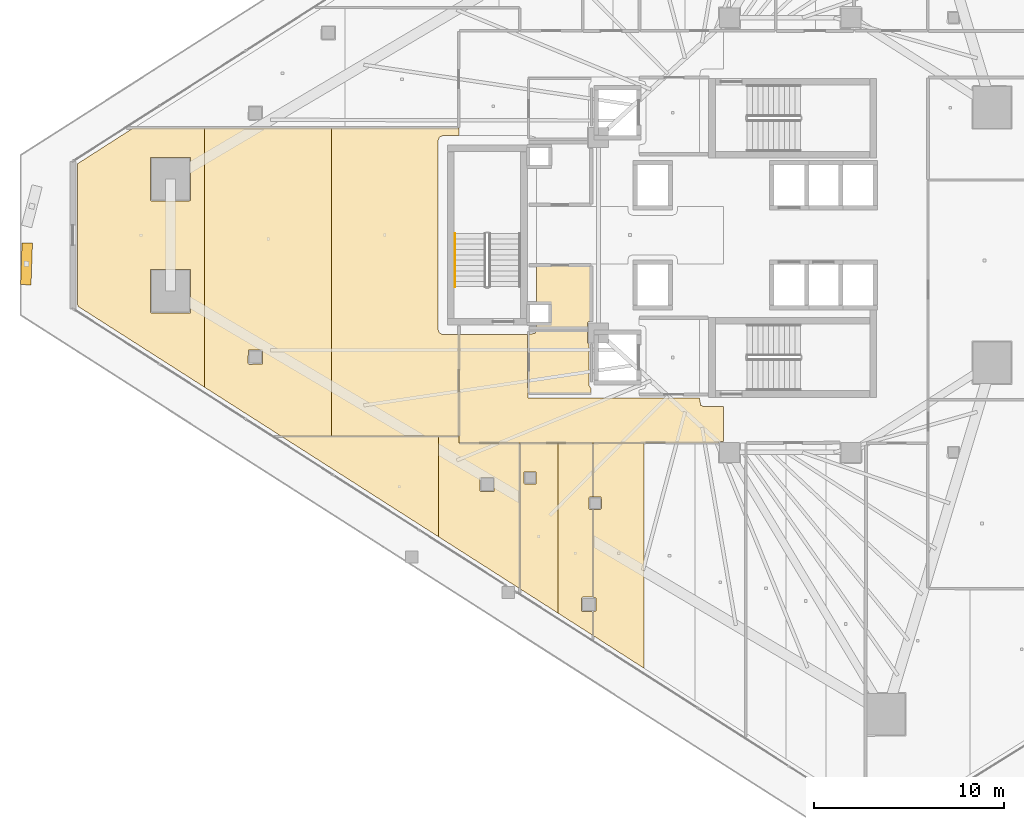
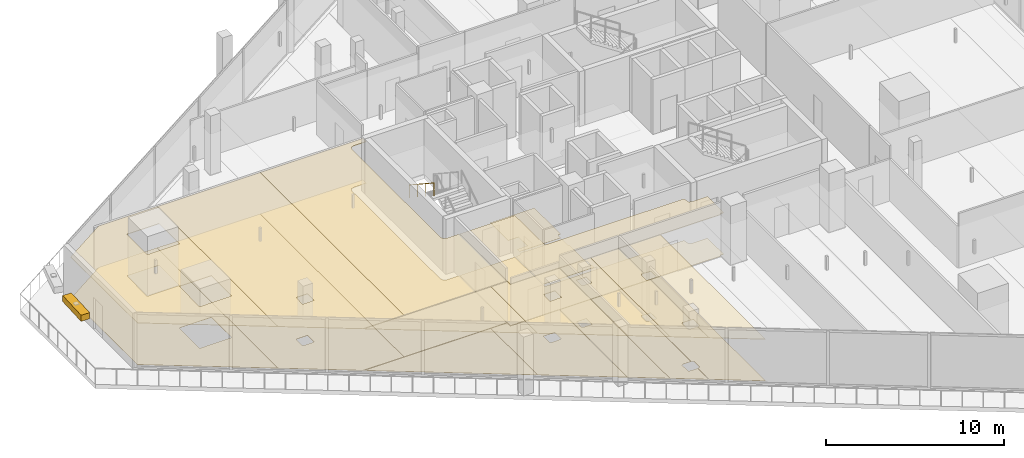
# One storey, part 37 of 45: 20 coverings, 1 railing, 1 shading device.
"""IFC4 building model written with IfcOpenShell, lengths in metres."""

import ifcopenshell
import ifcopenshell.guid

model = None  # the IFC model being written
_history = None  # IfcOwnerHistory: only IFC2X3 demands one
_inside = {}  # id of a spatial element -> (the spatial element, [elements in it])
_under = {}  # id of a project, library or spatial element -> (it, [spatial elements below it])
_declared = {}  # id of a project -> (the project, [libraries it declares])
_typed = {}  # id of a type object -> (the type object, [elements of that type])
_made_of = {}  # id of a material, layer set ... -> (it, [elements and type objects made of it])


def new_model(schema):
    """Start an empty IFC model of exactly this schema.

    Asked for "IFC4X3", IfcOpenShell would pick the latest addendum, in which some entities
    have other attributes; the version numbers below select the first issue.
    IFC2X3 requires an IfcOwnerHistory on every rooted entity: one is made here for all.
    """
    global model, _history
    if schema == "IFC4X3":
        model = ifcopenshell.file(schema_version=(4, 3, 0, 0))
    else:
        model = ifcopenshell.file(schema=schema)
    _inside.clear()
    _under.clear()
    _declared.clear()
    _typed.clear()
    _made_of.clear()
    _history = None
    if model.schema == "IFC2X3":
        org = make("IfcOrganization", Name="unknown")
        user = make(
            "IfcPersonAndOrganization",
            ThePerson=make("IfcPerson", FamilyName="unknown"),
            TheOrganization=org,
        )
        app = make(
            "IfcApplication",
            ApplicationDeveloper=org,
            Version="unknown",
            ApplicationFullName="unknown",
            ApplicationIdentifier="unknown",
        )
        _history = make(
            "IfcOwnerHistory",
            OwningUser=user,
            OwningApplication=app,
            ChangeAction="ADDED",
            CreationDate=0,
        )
    return model


def make(cls, **values):
    """One entity of the class cls with the attributes given. An attribute that is None is left unset."""
    return model.create_entity(
        cls, **{name: value for name, value in values.items() if value is not None}
    )


def rooted(cls, **values):
    """An entity with a GlobalId (a new one), such as an element, a storey or a relation."""
    return make(cls, GlobalId=ifcopenshell.guid.new(), OwnerHistory=_history, **values)


def si_unit(unit_type, name, prefix=None):
    """IfcSIUnit, for example si_unit("LENGTHUNIT", "METRE", prefix="MILLI")."""
    return make("IfcSIUnit", UnitType=unit_type, Prefix=prefix, Name=name)


def assignment(units):
    """IfcUnitAssignment: the units of a project."""
    return None if units is None else make("IfcUnitAssignment", Units=units)


def point(xyz):
    """IfcCartesianPoint."""
    return None if xyz is None else make("IfcCartesianPoint", Coordinates=xyz)


def direction(xyz):
    """IfcDirection."""
    return None if xyz is None else make("IfcDirection", DirectionRatios=xyz)


def frame(location, z_axis=None, x_axis=None):
    """IfcAxis2Placement3D, a coordinate frame: its origin and axes. An axis left out is left unset."""
    return make(
        "IfcAxis2Placement3D",
        Location=point(location),
        Axis=direction(z_axis),
        RefDirection=direction(x_axis),
    )


def frame_2d(location, x_axis=None):
    """IfcAxis2Placement2D, a coordinate frame in the plane: its origin and x axis."""
    return make(
        "IfcAxis2Placement2D", Location=point(location), RefDirection=direction(x_axis)
    )


def origin():
    """The frame at (0, 0, 0) with its axes left unset."""
    return frame((0.0, 0.0, 0.0))


def origin_2d():
    """The frame at (0, 0) in the plane with its x axis left unset."""
    return frame_2d((0.0, 0.0))


def place(relative_to, where):
    """IfcLocalPlacement: puts the frame where relative to a parent placement (None: the world)."""
    return make(
        "IfcLocalPlacement", PlacementRelTo=relative_to, RelativePlacement=where
    )


def context(
    kind, dimensions, precision=None, world=None, true_north=None, identifier=None
):
    """IfcGeometricRepresentationContext, for example the 3D "Model" context."""
    return make(
        "IfcGeometricRepresentationContext",
        ContextIdentifier=identifier,
        ContextType=kind,
        CoordinateSpaceDimension=dimensions,
        Precision=precision,
        WorldCoordinateSystem=world,
        TrueNorth=true_north,
    )


def subcontext(parent, identifier, kind, view, scale=None):
    """IfcGeometricRepresentationSubContext, for example "Body" below "Model"."""
    return make(
        "IfcGeometricRepresentationSubContext",
        ContextIdentifier=identifier,
        ContextType=kind,
        ParentContext=parent,
        TargetScale=scale,
        TargetView=view,
    )


def project(units=None, contexts=None):
    """IfcProject with its units and contexts."""
    return rooted(
        "IfcProject",
        Name="project",
        RepresentationContexts=contexts,
        UnitsInContext=assignment(units),
    )


def spatial(cls, under=None, at=None, **own):
    """A site, building, storey or space (cls), placed at a placement, below another one or the project."""
    s = rooted(cls, ObjectPlacement=at, **own)
    if under is not None:
        _under.setdefault(under.id(), (under, []))[1].append(s)
    return s


def polyline(points):
    """IfcPolyline through the points."""
    return make("IfcPolyline", Points=[point(p) for p in points])


def profile(cls, at=None, kind="AREA", **sizes):
    """A parametric profile (cls). Its sizes go by their IFC names, for example OverallWidth=200.0."""
    return make(cls, ProfileType=kind, Position=at, **sizes)


def rectangle(**sizes):
    """IfcRectangleProfileDef."""
    return profile("IfcRectangleProfileDef", **sizes)


def circle(**sizes):
    """IfcCircleProfileDef."""
    return profile("IfcCircleProfileDef", **sizes)


def outline(outer, holes=None, kind="AREA"):
    """IfcArbitraryClosedProfileDef: a profile drawn as a closed curve; with holes, ...WithVoids."""
    if holes is None:
        return make("IfcArbitraryClosedProfileDef", ProfileType=kind, OuterCurve=outer)
    return make(
        "IfcArbitraryProfileDefWithVoids",
        ProfileType=kind,
        OuterCurve=outer,
        InnerCurves=holes,
    )


def extrude(swept, where, along, depth):
    """IfcExtrudedAreaSolid: the profile swept, set in the frame where, extruded along a direction by depth."""
    return make(
        "IfcExtrudedAreaSolid",
        SweptArea=swept,
        Position=where,
        ExtrudedDirection=direction(along),
        Depth=depth,
    )


def shape(context_of_items, identifier, shape_type, items):
    """IfcShapeRepresentation: the items that make up one representation, for example the "Body"."""
    return make(
        "IfcShapeRepresentation",
        ContextOfItems=context_of_items,
        RepresentationIdentifier=identifier,
        RepresentationType=shape_type,
        Items=items,
    )


def material(Name=None, Category=None):
    """IfcMaterial."""
    return make("IfcMaterial", Name=Name, Category=Category)


def layer(
    of_material, thickness, ventilated=None, Name=None, Category=None, Priority=None
):
    """IfcMaterialLayer: one layer of a wall or slab, of a material (None: an air gap)."""
    return make(
        "IfcMaterialLayer",
        Material=of_material,
        LayerThickness=thickness,
        IsVentilated=ventilated,
        Name=Name,
        Category=Category,
        Priority=Priority,
    )


def layer_set(layers, Name=None):
    """IfcMaterialLayerSet."""
    return make("IfcMaterialLayerSet", MaterialLayers=layers, LayerSetName=Name)


def made_of(thing, what):
    """Note that an element or type object is made of a material, layer set ...; save() writes the relation."""
    if what is not None:
        _made_of.setdefault(what.id(), (what, []))[1].append(thing)
    return thing


def type_object(cls, material=None, **own):
    """A type object (cls), such as IfcWallType, which elements share."""
    return made_of(rooted(cls, **own), material)


def element(
    cls,
    number,
    at=None,
    inside=None,
    cuts=None,
    type_object=None,
    material=None,
    context=None,
    identifier="Body",
    shape_type=None,
    held_by="IfcProductDefinitionShape",
    body=None,
    shapes=None,
    **own,
):
    """One element of the class cls, such as IfcWall. Its Tag is "e" and its number.

    at: its placement. inside: the storey or other place that contains it. cuts: it is an
    opening in that element (IfcRelVoidsElement). A single representation is given by context,
    identifier, shape_type and body (its items); several are given by shapes. held_by: the class
    of the entity that holds the representations. save() writes the other relations.
    """
    e = rooted(cls, Tag="e%d" % number, ObjectPlacement=at, **own)
    if body is not None:
        shapes = [shape(context, identifier, shape_type, body)]
    if shapes is not None:
        e.Representation = make(held_by, Representations=shapes)
    if inside is not None:
        _inside.setdefault(inside.id(), (inside, []))[1].append(e)
    if cuts is not None:
        rooted(
            "IfcRelVoidsElement", RelatingBuildingElement=cuts, RelatedOpeningElement=e
        )
    if type_object is not None:
        _typed.setdefault(type_object.id(), (type_object, []))[1].append(e)
    return made_of(e, material)


def aggregate(whole, parts):
    """IfcRelAggregates: a whole, such as a stair, and the parts it consists of."""
    return rooted("IfcRelAggregates", RelatingObject=whole, RelatedObjects=parts)


def save(model, path):
    """Write the relations noted so far, then the file.

    IfcRelAggregates (storeys below a building ...), IfcRelContainedInSpatialStructure (elements
    in a storey), IfcRelDefinesByType, IfcRelAssociatesMaterial and IfcRelDeclares: one each for
    every whole, place, type object, material and project.
    """
    for whole, parts in _under.values():
        aggregate(whole, parts)
    for where, things in _inside.values():
        rooted(
            "IfcRelContainedInSpatialStructure",
            RelatedElements=things,
            RelatingStructure=where,
        )
    for kind, things in _typed.values():
        rooted("IfcRelDefinesByType", RelatedObjects=things, RelatingType=kind)
    for what, things in _made_of.values():
        rooted("IfcRelAssociatesMaterial", RelatedObjects=things, RelatingMaterial=what)
    for by, libraries in _declared.values():
        rooted("IfcRelDeclares", RelatingContext=by, RelatedDefinitions=libraries)
    model.write(path)


model = new_model("IFC4")

# Units and contexts
model_context = context("Model", 3, precision=1e-05, world=origin(), true_north=direction((0.0, 1.0)))
body_context = subcontext(model_context, "Body", "Model", "MODEL_VIEW")
ifc_project = project(units=[si_unit("LENGTHUNIT", "METRE"), si_unit("AREAUNIT", "SQUARE_METRE"), si_unit("VOLUMEUNIT", "CUBIC_METRE"), si_unit("PLANEANGLEUNIT", "RADIAN"), si_unit("MASSUNIT", "GRAM", prefix="KILO")], contexts=[model_context])

# Site, building, storey
site_placement = place(None, origin())
site = spatial("IfcSite", under=ifc_project, at=site_placement, CompositionType="ELEMENT")
building_placement = place(site_placement, origin())
building = spatial("IfcBuilding", under=site, at=building_placement, Name="Qorvath Tower", CompositionType="ELEMENT")
storey_placement = place(building_placement, frame((0.0, 0.0, 109.800048828125)))
storey = spatial("IfcBuildingStorey", under=building, at=storey_placement, Name="L24", CompositionType="ELEMENT", Elevation=109.800048828125)

# Coverings
ifc_material_1 = material(Name="Acoustic mineral fibre ceiling tile", Category="gypsum")
ifc_layer_1 = layer(ifc_material_1, 0.030029296875)
ifc_layer_set_1 = layer_set([ifc_layer_1], Name="COV-CEIL")
covering_type_1 = type_object("IfcCoveringType", Name="COV-CEIL", PredefinedType="CEILING", material=ifc_layer_set_1)
covering_1_placement = place(storey_placement, frame((0.0, 0.0, 2.849853515625)))
element("IfcCovering", 1, at=covering_1_placement, inside=storey, type_object=covering_type_1, Name="L24 Suspended Acoustic Ceiling 007", PredefinedType="CEILING", context=body_context, shape_type="SweptSolid", body=[
    extrude(outline(polyline([(-34.22509765625, -8.580078125), (-34.251220703125, -5.239990234375), (-37.844970703125, -5.239990234375), (-37.844970703125, -10.945068359375), (-24.18505859375, -10.945068359375), (-24.125, -10.864990234375), (-23.919677734375, -10.864990234375), (-23.919677734375, -9.0400390625), (-24.93994140625, -9.0400390625), (-25.11669921875, -8.966796875), (-25.18994140625, -8.57421875), (-34.22509765625, -8.580078125)])), origin(), (0.0, 0.0, 1.0), 0.030029296875),
])
covering_2_placement = place(storey_placement, frame((0.0, 0.0, 2.849853515625)))
element("IfcCovering", 2, at=covering_2_placement, inside=storey, type_object=covering_type_1, Name="L24 Suspended Acoustic Ceiling 022", PredefinedType="CEILING", context=body_context, shape_type="SweptSolid", body=[
    extrude(outline(polyline([(-32.64208984375, -19.9111328125), (-32.64208984375, -10.962890625), (-34.64501953125, -10.962890625), (-34.64501953125, -18.631103515625), (-32.64208984375, -19.9111328125)]), holes=[polyline([(-34.439208984375, -13.0673828125), (-34.421630859375, -12.47509765625), (-33.786865234375, -12.47509765625), (-33.786865234375, -13.10986328125), (-34.379150390625, -13.12744140625), (-34.439208984375, -13.0673828125)])]), origin(), (0.0, 0.0, 1.0), 0.030029296875),
])
covering_3_placement = place(storey_placement, frame((0.0, 0.0, 2.849853515625)))
element("IfcCovering", 3, at=covering_3_placement, inside=storey, type_object=covering_type_1, Name="L24 Suspended Acoustic Ceiling 023", PredefinedType="CEILING", context=body_context, shape_type="SweptSolid", body=[
    extrude(outline(polyline([(-31.341064453125, -19.075439453125), (-30.796875, -19.075439453125), (-30.796875, -14.459228515625), (-30.9521484375, -14.459228515625), (-31.01220703125, -14.3994140625), (-31.01220703125, -13.849365234375), (-30.9521484375, -13.789306640625), (-30.796875, -13.789306640625), (-30.796875, -10.962890625), (-32.64208984375, -10.962890625), (-32.64208984375, -19.9111328125), (-30.796875, -21.090576171875), (-30.796875, -19.845458984375), (-31.383544921875, -19.827880859375), (-31.401123046875, -19.135498046875), (-31.341064453125, -19.075439453125)])), origin(), (0.0, 0.0, 1.0), 0.030029296875),
])
covering_4_placement = place(storey_placement, frame((0.0, 0.0, 2.849853515625)))
element("IfcCovering", 4, at=covering_4_placement, inside=storey, type_object=covering_type_1, Name="L24 Suspended Acoustic Ceiling 024", PredefinedType="CEILING", context=body_context, shape_type="SweptSolid", body=[
    extrude(outline(polyline([(-28.0986328125, -22.821044921875), (-28.0986328125, -10.954833984375), (-30.77880859375, -10.962890625), (-30.77880859375, -13.789306640625), (-30.35986328125, -13.806884765625), (-30.34228515625, -14.3994140625), (-30.402099609375, -14.459228515625), (-30.77880859375, -14.459228515625), (-30.77880859375, -19.075439453125), (-30.631103515625, -19.135498046875), (-30.631103515625, -19.785400390625), (-30.77880859375, -19.845458984375), (-30.77880859375, -21.10205078125), (-28.0986328125, -22.821044921875)])), origin(), (0.0, 0.0, 1.0), 0.030029296875),
])
covering_5_placement = place(storey_placement, frame((0.0, 0.0, 2.849853515625)))
element("IfcCovering", 5, at=covering_5_placement, inside=storey, type_object=covering_type_1, Name="L24 Suspended Acoustic Ceiling 042", PredefinedType="CEILING", context=body_context, shape_type="SweptSolid", body=[
    extrude(outline(polyline([(-38.925537109375, -15.89501953125), (-38.925537109375, -10.613525390625), (-47.189453125, -10.613525390625), (-38.925537109375, -15.89501953125)])), origin(), (0.0, 0.0, 1.0), 0.030029296875),
])
covering_6_placement = place(storey_placement, frame((0.0, 0.0, 2.849853515625)))
element("IfcCovering", 6, at=covering_6_placement, inside=storey, type_object=covering_type_1, Name="L24 Suspended Acoustic Ceiling 043", PredefinedType="CEILING", context=body_context, shape_type="SweptSolid", body=[
    extrude(outline(polyline([(-37.863037109375, -10.9580078125), (-37.863037109375, -10.613525390625), (-38.925537109375, -10.613525390625), (-38.925537109375, -15.89501953125), (-34.6630859375, -18.619384765625), (-34.6630859375, -10.962890625), (-37.863037109375, -10.9580078125)]), holes=[polyline([(-36.749755859375, -13.46044921875), (-36.732177734375, -12.76806640625), (-35.997314453125, -12.76806640625), (-35.997314453125, -13.5029296875), (-36.689697265625, -13.5205078125), (-36.749755859375, -13.46044921875)])]), origin(), (0.0, 0.0, 1.0), 0.030029296875),
])
covering_7_placement = place(storey_placement, frame((0.0, 0.0, 2.849853515625)))
element("IfcCovering", 7, at=covering_7_placement, inside=storey, type_object=covering_type_1, Name="L24 Suspended Acoustic Ceiling 044", PredefinedType="CEILING", context=body_context, shape_type="SweptSolid", body=[
    extrude(outline(polyline([(-55.015869140625, 5.635009765625), (-57.953857421875, 3.753173828125), (-57.935302734375, -3.745361328125), (-51.2568359375, -8.013916015625), (-51.2568359375, 5.6357421875), (-55.015869140625, 5.635009765625)]), holes=[polyline([(-54.109375, -4.05078125), (-54.091796875, -1.808349609375), (-52.007080078125, -1.808349609375), (-52.007080078125, -4.09326171875), (-54.04931640625, -4.11083984375), (-54.109375, -4.05078125)]), polyline([(-54.109375, 1.850830078125), (-54.091796875, 4.09326171875), (-52.007080078125, 4.09326171875), (-52.007080078125, 1.808349609375), (-54.04931640625, 1.790771484375), (-54.109375, 1.850830078125)])]), origin(), (0.0, 0.0, 1.0), 0.030029296875),
])
covering_8_placement = place(storey_placement, frame((0.0, 0.0, 2.849853515625)))
element("IfcCovering", 8, at=covering_8_placement, inside=storey, type_object=covering_type_1, Name="L24 Suspended Acoustic Ceiling 045", PredefinedType="CEILING", context=body_context, shape_type="SweptSolid", body=[
    extrude(outline(polyline([(-51.2568359375, 5.6357421875), (-51.2568359375, -8.013916015625), (-47.217529296875, -10.595458984375), (-44.559814453125, -10.595458984375), (-44.559814453125, 5.636962890625), (-51.2568359375, 5.6357421875)]), holes=[polyline([(-48.96337890625, -6.74951171875), (-48.94580078125, -6.05712890625), (-48.2109375, -6.05712890625), (-48.2109375, -6.7919921875), (-48.9033203125, -6.8095703125), (-48.96337890625, -6.74951171875)])]), origin(), (0.0, 0.0, 1.0), 0.030029296875),
])
covering_9_placement = place(storey_placement, frame((0.0, 0.0, 2.849853515625)))
element("IfcCovering", 9, at=covering_9_placement, inside=storey, type_object=covering_type_1, Name="L24 Suspended Acoustic Ceiling 046", PredefinedType="CEILING", context=body_context, shape_type="SweptSolid", body=[
    extrude(outline(polyline([(-44.559814453125, 5.636962890625), (-44.559814453125, -10.595458984375), (-37.863037109375, -10.595458984375), (-37.863037109375, -5.239990234375), (-38.699951171875, -5.239990234375), (-38.876708984375, -5.166748046875), (-38.949951171875, -4.989990234375), (-38.949951171875, 4.989990234375), (-38.876708984375, 5.166748046875), (-38.699951171875, 5.239990234375), (-37.863037109375, 5.239990234375), (-37.863037109375, 5.63818359375), (-44.559814453125, 5.636962890625)])), origin(), (0.0, 0.0, 1.0), 0.030029296875),
])
ifc_material_2 = material(Name="Low-VOC modular carpet tile", Category="textile")
ifc_layer_2 = layer(ifc_material_2, 0.014892578125)
ifc_layer_set_2 = layer_set([ifc_layer_2], Name="COV-FLOOR-CPT")
covering_type_2 = type_object("IfcCoveringType", Name="COV-FLOOR-CPT", PredefinedType="FLOORING", material=ifc_layer_set_2)
covering_10_placement = place(storey_placement, origin())
element("IfcCovering", 10, at=covering_10_placement, inside=storey, type_object=covering_type_2, Name="L24 Floor Finish 006", PredefinedType="FLOORING", context=body_context, shape_type="SweptSolid", body=[
    extrude(outline(polyline([(-30.885009765625, -4.56494140625), (-30.885009765625, -1.60498046875), (-33.760009765625, -1.60498046875), (-33.760009765625, -3.636962890625), (-33.08837890625, -3.638427734375), (-33.0869140625, -4.6279296875), (-33.760009765625, -4.633056640625), (-33.760009765625, -4.89501953125), (-31.0849609375, -4.89501953125), (-31.0849609375, -4.625), (-31.02490234375, -4.56494140625), (-30.885009765625, -4.56494140625)])), origin(), (0.0, 0.0, 1.0), 0.014892578125),
])
covering_11_placement = place(storey_placement, origin())
element("IfcCovering", 11, at=covering_11_placement, inside=storey, type_object=covering_type_2, Name="L24 Floor Finish 022", PredefinedType="FLOORING", context=body_context, shape_type="SweptSolid", body=[
    extrude(outline(polyline([(-32.64208984375, -19.9111328125), (-32.64208984375, -10.962890625), (-34.64501953125, -10.962890625), (-34.64501953125, -18.631103515625), (-32.64208984375, -19.9111328125)]), holes=[polyline([(-34.439208984375, -13.0673828125), (-34.421630859375, -12.47509765625), (-33.786865234375, -12.47509765625), (-33.786865234375, -13.10986328125), (-34.379150390625, -13.12744140625), (-34.439208984375, -13.0673828125)])]), origin(), (0.0, 0.0, 1.0), 0.014892578125),
])
covering_12_placement = place(storey_placement, origin())
element("IfcCovering", 12, at=covering_12_placement, inside=storey, type_object=covering_type_2, Name="L24 Floor Finish 023", PredefinedType="FLOORING", context=body_context, shape_type="SweptSolid", body=[
    extrude(outline(polyline([(-31.341064453125, -19.075439453125), (-30.796875, -19.075439453125), (-30.796875, -14.459228515625), (-30.9521484375, -14.459228515625), (-31.01220703125, -14.3994140625), (-31.01220703125, -13.849365234375), (-30.9521484375, -13.789306640625), (-30.796875, -13.789306640625), (-30.796875, -10.962890625), (-32.64208984375, -10.962890625), (-32.64208984375, -19.9111328125), (-30.796875, -21.090576171875), (-30.796875, -19.845458984375), (-31.383544921875, -19.827880859375), (-31.401123046875, -19.135498046875), (-31.341064453125, -19.075439453125)])), origin(), (0.0, 0.0, 1.0), 0.014892578125),
])
covering_13_placement = place(storey_placement, origin())
element("IfcCovering", 13, at=covering_13_placement, inside=storey, type_object=covering_type_2, Name="L24 Floor Finish 024", PredefinedType="FLOORING", context=body_context, shape_type="SweptSolid", body=[
    extrude(outline(polyline([(-28.0986328125, -22.821044921875), (-28.0986328125, -10.954833984375), (-30.77880859375, -10.962890625), (-30.77880859375, -13.789306640625), (-30.35986328125, -13.806884765625), (-30.34228515625, -14.3994140625), (-30.402099609375, -14.459228515625), (-30.77880859375, -14.459228515625), (-30.77880859375, -19.075439453125), (-30.631103515625, -19.135498046875), (-30.631103515625, -19.785400390625), (-30.77880859375, -19.845458984375), (-30.77880859375, -21.10205078125), (-28.0986328125, -22.821044921875)])), origin(), (0.0, 0.0, 1.0), 0.014892578125),
])
covering_14_placement = place(storey_placement, origin())
element("IfcCovering", 14, at=covering_14_placement, inside=storey, type_object=covering_type_2, Name="L24 Floor Finish 042", PredefinedType="FLOORING", context=body_context, shape_type="SweptSolid", body=[
    extrude(outline(polyline([(-38.925537109375, -15.89501953125), (-38.925537109375, -10.613525390625), (-47.189453125, -10.613525390625), (-38.925537109375, -15.89501953125)])), origin(), (0.0, 0.0, 1.0), 0.014892578125),
])
covering_15_placement = place(storey_placement, origin())
element("IfcCovering", 15, at=covering_15_placement, inside=storey, type_object=covering_type_2, Name="L24 Floor Finish 043", PredefinedType="FLOORING", context=body_context, shape_type="SweptSolid", body=[
    extrude(outline(polyline([(-37.863037109375, -10.9580078125), (-37.863037109375, -10.613525390625), (-38.925537109375, -10.613525390625), (-38.925537109375, -15.89501953125), (-34.6630859375, -18.619384765625), (-34.6630859375, -10.962890625), (-37.863037109375, -10.9580078125)]), holes=[polyline([(-36.749755859375, -13.46044921875), (-36.732177734375, -12.76806640625), (-35.997314453125, -12.76806640625), (-35.997314453125, -13.5029296875), (-36.689697265625, -13.5205078125), (-36.749755859375, -13.46044921875)])]), origin(), (0.0, 0.0, 1.0), 0.014892578125),
])
covering_16_placement = place(storey_placement, origin())
element("IfcCovering", 16, at=covering_16_placement, inside=storey, type_object=covering_type_2, Name="L24 Floor Finish 044", PredefinedType="FLOORING", context=body_context, shape_type="SweptSolid", body=[
    extrude(outline(polyline([(-55.015869140625, 5.635009765625), (-57.953857421875, 3.753173828125), (-57.935302734375, -3.745361328125), (-51.2568359375, -8.013916015625), (-51.2568359375, 5.6357421875), (-55.015869140625, 5.635009765625)]), holes=[polyline([(-54.109375, -4.05078125), (-54.091796875, -1.808349609375), (-52.007080078125, -1.808349609375), (-52.007080078125, -4.09326171875), (-54.04931640625, -4.11083984375), (-54.109375, -4.05078125)]), polyline([(-54.109375, 1.850830078125), (-54.091796875, 4.09326171875), (-52.007080078125, 4.09326171875), (-52.007080078125, 1.808349609375), (-54.04931640625, 1.790771484375), (-54.109375, 1.850830078125)])]), origin(), (0.0, 0.0, 1.0), 0.014892578125),
])
covering_17_placement = place(storey_placement, origin())
element("IfcCovering", 17, at=covering_17_placement, inside=storey, type_object=covering_type_2, Name="L24 Floor Finish 045", PredefinedType="FLOORING", context=body_context, shape_type="SweptSolid", body=[
    extrude(outline(polyline([(-51.2568359375, 5.6357421875), (-51.2568359375, -8.013916015625), (-47.217529296875, -10.595458984375), (-44.559814453125, -10.595458984375), (-44.559814453125, 5.636962890625), (-51.2568359375, 5.6357421875)]), holes=[polyline([(-48.96337890625, -6.74951171875), (-48.94580078125, -6.05712890625), (-48.2109375, -6.05712890625), (-48.2109375, -6.7919921875), (-48.9033203125, -6.8095703125), (-48.96337890625, -6.74951171875)])]), origin(), (0.0, 0.0, 1.0), 0.014892578125),
])
covering_18_placement = place(storey_placement, origin())
element("IfcCovering", 18, at=covering_18_placement, inside=storey, type_object=covering_type_2, Name="L24 Floor Finish 046", PredefinedType="FLOORING", context=body_context, shape_type="SweptSolid", body=[
    extrude(outline(polyline([(-44.559814453125, 5.636962890625), (-44.559814453125, -10.595458984375), (-37.863037109375, -10.595458984375), (-37.863037109375, -5.239990234375), (-38.699951171875, -5.239990234375), (-38.876708984375, -5.166748046875), (-38.949951171875, -4.989990234375), (-38.949951171875, 4.989990234375), (-38.876708984375, 5.166748046875), (-38.699951171875, 5.239990234375), (-37.863037109375, 5.239990234375), (-37.863037109375, 5.63818359375), (-44.559814453125, 5.636962890625)])), origin(), (0.0, 0.0, 1.0), 0.014892578125),
])
ifc_material_3 = material(Name="Polished epoxy terrazzo flooring", Category="concrete")
ifc_layer_3 = layer(ifc_material_3, 0.02001953125)
ifc_layer_set_3 = layer_set([ifc_layer_3], Name="COV-FLOOR-TRZ")
covering_type_3 = type_object("IfcCoveringType", Name="COV-FLOOR-TRZ", PredefinedType="FLOORING", material=ifc_layer_set_3)
covering_19_placement = place(storey_placement, origin())
element("IfcCovering", 19, at=covering_19_placement, inside=storey, type_object=covering_type_3, Name="L24 Floor Finish 005", PredefinedType="FLOORING", context=body_context, shape_type="SweptSolid", body=[
    extrude(outline(polyline([(-31.0849609375, -5.054931640625), (-33.786865234375, -5.054931640625), (-33.833251953125, -5.166748046875), (-34.175048828125, -5.239990234375), (-34.175048828125, -8.344970703125), (-30.885009765625, -8.344970703125), (-30.885009765625, -8.108154296875), (-31.010009765625, -7.909912109375), (-31.010009765625, -5.735107421875), (-31.0849609375, -5.675048828125), (-31.0849609375, -5.054931640625)])), origin(), (0.0, 0.0, 1.0), 0.014892578125),
])
covering_20_placement = place(storey_placement, origin())
element("IfcCovering", 20, at=covering_20_placement, inside=storey, type_object=covering_type_3, Name="L24 Floor Finish 007", PredefinedType="FLOORING", context=body_context, shape_type="SweptSolid", body=[
    extrude(outline(polyline([(-34.22509765625, -8.580078125), (-34.251220703125, -5.239990234375), (-37.844970703125, -5.239990234375), (-37.844970703125, -10.945068359375), (-24.18505859375, -10.945068359375), (-24.125, -10.864990234375), (-23.919677734375, -10.864990234375), (-23.919677734375, -9.0400390625), (-24.93994140625, -9.0400390625), (-25.11669921875, -8.966796875), (-25.18994140625, -8.57421875), (-34.22509765625, -8.580078125)])), origin(), (0.0, 0.0, 1.0), 0.014892578125),
])

# Railing
ifc_material_4 = material(Name="Brushed stainless steel AISI 304", Category="steel")
railing_type = type_object("IfcRailingType", Name="RL-STR-HND", PredefinedType="HANDRAIL", material=ifc_material_4)
railing_placement = place(storey_placement, frame((-38.06005859375, 0.080078125, 2.208984375)))
element("IfcRailing", 21, at=railing_placement, inside=storey, type_object=railing_type, Name="L24 TS3 stair handrail 2", PredefinedType="HANDRAIL", context=body_context, shape_type="SweptSolid", body=[
    extrude(circle(Radius=0.02392578125, at=origin_2d()), frame((0.0, 0.0, 0.8759765625), z_axis=(0.0, -0.83556406348, 0.549393024911), x_axis=(1.0, 0.0, 0.0)), (0.0, 0.0, 1.0), 3.35107421875),
    extrude(circle(Radius=0.02099609375, at=origin_2d()), origin(), (0.0, 0.0, 1.0), 0.851806640625),
    extrude(circle(Radius=0.02099609375, at=origin_2d()), frame((0.0, -0.933349609375, 0.61376953125)), (0.0, 0.0, 1.0), 0.851806640625),
    extrude(circle(Radius=0.02099609375, at=origin_2d()), frame((0.0, -1.86669921875, 1.227294921875)), (0.0, 0.0, 1.0), 0.851806640625),
    extrude(circle(Radius=0.02099609375, at=origin_2d()), frame((0.0, -2.800048828125, 1.841064453125)), (0.0, 0.0, 1.0), 0.851806640625),
])

# Shading device
ifc_material_5 = material(Name="Anodised bronze-champagne aluminium", Category="aluminium")
shading_device_type = type_object("IfcShadingDeviceType", Name="SD-LOUVRE", PredefinedType="JALOUSIE", material=ifc_material_5)
shading_device_placement = place(storey_placement, frame((-60.6337890625, -1.518798828125, 3.35009765625), z_axis=(0.0, 0.0, 1.0), x_axis=(-0.034559362809, -0.999402646806, 0.0)))
element("IfcShadingDevice", 22, at=shading_device_placement, inside=storey, type_object=shading_device_type, Name="Sinusoidal Wave Louvre Blade L24-02", PredefinedType="NOTDEFINED", context=body_context, shape_type="SweptSolid", body=[
    extrude(rectangle(XDim=2.199951171875, YDim=0.550048828125, at=origin_2d()), origin(), (0.0, 0.0, 1.0), 0.419921875),
])

save(model, "model.ifc")
